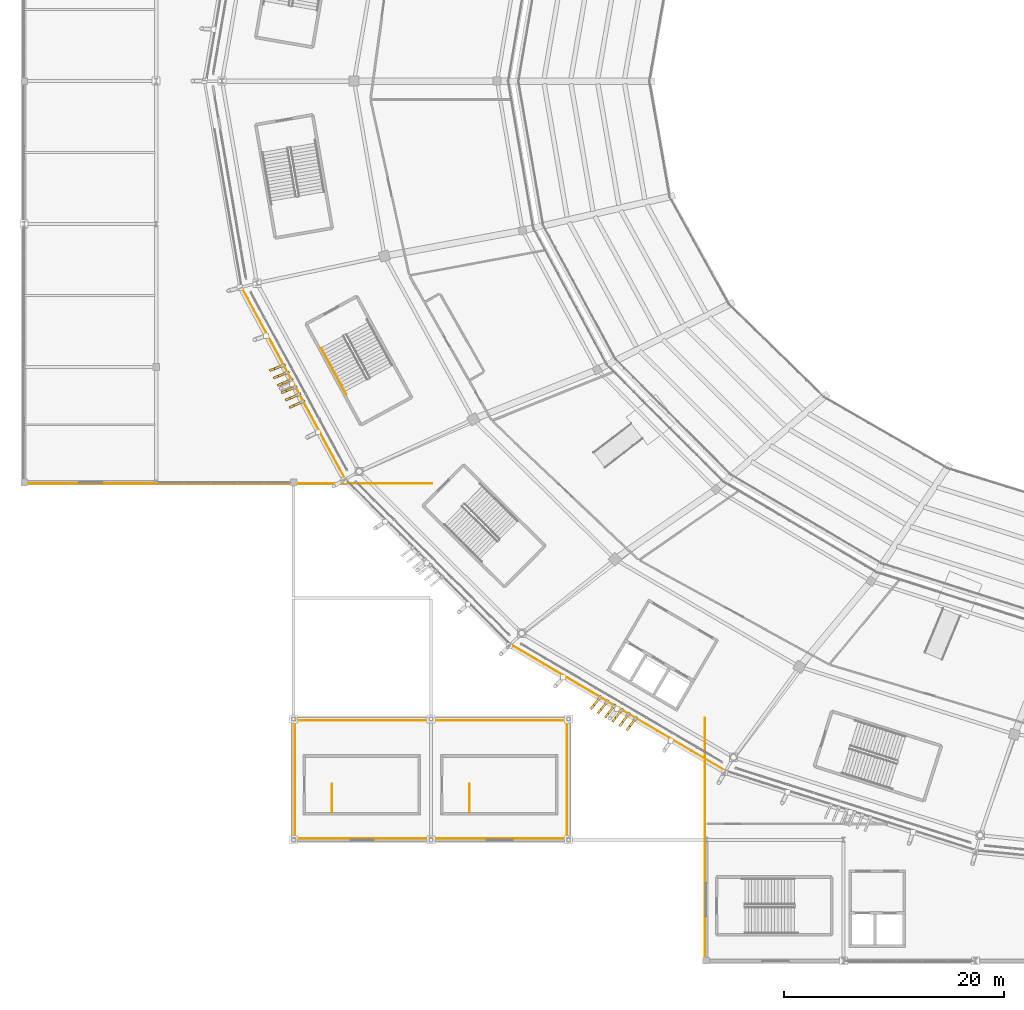
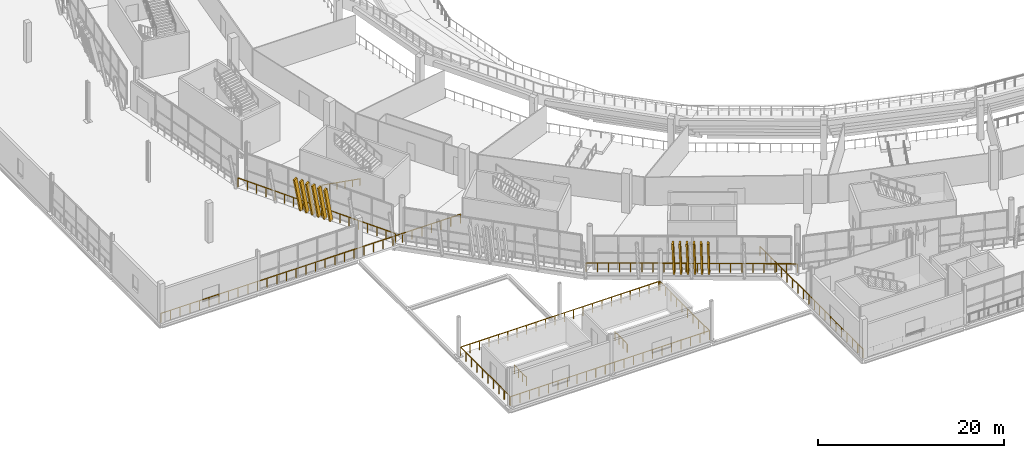
# One storey, part 144 of 178: 12 shading devices, 9 railings.
"""IFC4 building model written with IfcOpenShell, lengths in metres."""

from ifc_helpers import new_model, si_unit, direction, frame, origin, origin_2d, place, context, subcontext, project, spatial, rectangle, extrude, material, material_profile, profile_set, type_object, element, save


model = new_model("IFC4")

# Units and contexts
model_context = context("Model", 3, precision=1e-05, world=origin(), true_north=direction((0.0, 1.0)))
body_context = subcontext(model_context, "Body", "Model", "MODEL_VIEW")
ifc_project = project(units=[si_unit("LENGTHUNIT", "METRE"), si_unit("AREAUNIT", "SQUARE_METRE"), si_unit("VOLUMEUNIT", "CUBIC_METRE"), si_unit("PLANEANGLEUNIT", "RADIAN"), si_unit("MASSUNIT", "GRAM", prefix="KILO")], contexts=[model_context])

# Site, building, storey
site_placement = place(None, origin())
site = spatial("IfcSite", under=ifc_project, at=site_placement, CompositionType="ELEMENT")
building_placement = place(site_placement, origin())
building = spatial("IfcBuilding", under=site, at=building_placement, Name="Zlatoyarsky Gate Stadium", CompositionType="ELEMENT")
storey_placement = place(building_placement, frame((0.0, 0.0, 5.39990234375)))
storey = spatial("IfcBuildingStorey", under=building, at=storey_placement, Name="L01", CompositionType="ELEMENT", Elevation=5.39990234375)

# Railings
ifc_material_1 = material(Name="Powder-coated steel tubular guardrail", Category="steel")
railing_type_1 = type_object("IfcRailingType", Name="CONCOURSE SLAB EDGE GUARDRAIL 1200", PredefinedType="GUARDRAIL", material=ifc_material_1)
railing_1_placement = place(storey_placement, frame((19.7890625, 61.254150390625, 0.0)))
element("IfcRailing", 1, at=railing_1_placement, inside=storey, type_object=railing_type_1, Name="L01 outer slab edge guardrail 13", PredefinedType="GUARDRAIL", context=body_context, shape_type="SweptSolid", body=[
    extrude(rectangle(XDim=0.048095703125, YDim=0.048095703125, at=origin_2d()), frame((0.0, 0.0, 1.17578125), z_axis=(0.475167957091, -0.879895114519, 0.0), x_axis=(0.879895114519, 0.475167957091, 0.0)), (0.0, 0.0, 1.0), 19.852783203125),
    extrude(rectangle(XDim=0.0419921875, YDim=0.0419921875, at=origin_2d()), origin(), (0.0, 0.0, 1.0), 1.15185546875),
    extrude(rectangle(XDim=0.0419921875, YDim=0.0419921875, at=origin_2d()), frame((0.554931640625, -1.027587890625, 0.0)), (0.0, 0.0, 1.0), 1.15185546875),
    extrude(rectangle(XDim=0.0419921875, YDim=0.0419921875, at=origin_2d()), frame((1.10986328125, -2.05517578125, 0.0)), (0.0, 0.0, 1.0), 1.15185546875),
    extrude(rectangle(XDim=0.0419921875, YDim=0.0419921875, at=origin_2d()), frame((1.664794921875, -3.08251953125, 0.0)), (0.0, 0.0, 1.0), 1.15185546875),
    extrude(rectangle(XDim=0.0419921875, YDim=0.0419921875, at=origin_2d()), frame((2.2197265625, -4.110107421875, 0.0)), (0.0, 0.0, 1.0), 1.15185546875),
    extrude(rectangle(XDim=0.0419921875, YDim=0.0419921875, at=origin_2d()), frame((2.7744140625, -5.1376953125, 0.0)), (0.0, 0.0, 1.0), 1.15185546875),
    extrude(rectangle(XDim=0.0419921875, YDim=0.0419921875, at=origin_2d()), frame((3.329345703125, -6.165283203125, 0.0)), (0.0, 0.0, 1.0), 1.15185546875),
    extrude(rectangle(XDim=0.0419921875, YDim=0.0419921875, at=origin_2d()), frame((3.88427734375, -7.19287109375, 0.0)), (0.0, 0.0, 1.0), 1.15185546875),
    extrude(rectangle(XDim=0.0419921875, YDim=0.0419921875, at=origin_2d()), frame((4.439208984375, -8.220458984375, 0.0)), (0.0, 0.0, 1.0), 1.15185546875),
    extrude(rectangle(XDim=0.0419921875, YDim=0.0419921875, at=origin_2d()), frame((4.994140625, -9.247802734375, 0.0)), (0.0, 0.0, 1.0), 1.15185546875),
    extrude(rectangle(XDim=0.0419921875, YDim=0.0419921875, at=origin_2d()), frame((5.549072265625, -10.275390625, 0.0)), (0.0, 0.0, 1.0), 1.15185546875),
    extrude(rectangle(XDim=0.0419921875, YDim=0.0419921875, at=origin_2d()), frame((6.10400390625, -11.302978515625, 0.0)), (0.0, 0.0, 1.0), 1.15185546875),
    extrude(rectangle(XDim=0.0419921875, YDim=0.0419921875, at=origin_2d()), frame((6.658935546875, -12.33056640625, 0.0)), (0.0, 0.0, 1.0), 1.15185546875),
    extrude(rectangle(XDim=0.0419921875, YDim=0.0419921875, at=origin_2d()), frame((7.213623046875, -13.358154296875, 0.0)), (0.0, 0.0, 1.0), 1.15185546875),
    extrude(rectangle(XDim=0.0419921875, YDim=0.0419921875, at=origin_2d()), frame((7.7685546875, -14.3857421875, 0.0)), (0.0, 0.0, 1.0), 1.15185546875),
    extrude(rectangle(XDim=0.0419921875, YDim=0.0419921875, at=origin_2d()), frame((8.323486328125, -15.4130859375, 0.0)), (0.0, 0.0, 1.0), 1.15185546875),
    extrude(rectangle(XDim=0.0419921875, YDim=0.0419921875, at=origin_2d()), frame((8.87841796875, -16.440673828125, 0.0)), (0.0, 0.0, 1.0), 1.15185546875),
    extrude(rectangle(XDim=0.0419921875, YDim=0.0419921875, at=origin_2d()), frame((9.433349609375, -17.46826171875, 0.0)), (0.0, 0.0, 1.0), 1.15185546875),
])
railing_2_placement = place(storey_placement, frame((44.22900390625, 28.785400390625, 0.0)))
element("IfcRailing", 2, at=railing_2_placement, inside=storey, type_object=railing_type_1, Name="L01 outer slab edge guardrail 15", PredefinedType="GUARDRAIL", context=body_context, shape_type="SweptSolid", body=[
    extrude(rectangle(XDim=0.048095703125, YDim=0.048095703125, at=origin_2d()), frame((0.0, 0.0, 1.17578125), z_axis=(0.861811945142, -0.507227928264, 0.0), x_axis=(0.507227928264, 0.861811945142, 0.0)), (0.0, 0.0, 1.0), 22.6923828125),
    extrude(rectangle(XDim=0.0419921875, YDim=0.0419921875, at=origin_2d()), origin(), (0.0, 0.0, 1.0), 1.15185546875),
    extrude(rectangle(XDim=0.0419921875, YDim=0.0419921875, at=origin_2d()), frame((1.029296875, -0.605712890625, 0.0)), (0.0, 0.0, 1.0), 1.15185546875),
    extrude(rectangle(XDim=0.0419921875, YDim=0.0419921875, at=origin_2d()), frame((2.05859375, -1.211669921875, 0.0)), (0.0, 0.0, 1.0), 1.15185546875),
    extrude(rectangle(XDim=0.0419921875, YDim=0.0419921875, at=origin_2d()), frame((3.087890625, -1.8173828125, 0.0)), (0.0, 0.0, 1.0), 1.15185546875),
    extrude(rectangle(XDim=0.0419921875, YDim=0.0419921875, at=origin_2d()), frame((4.1171875, -2.423095703125, 0.0)), (0.0, 0.0, 1.0), 1.15185546875),
    extrude(rectangle(XDim=0.0419921875, YDim=0.0419921875, at=origin_2d()), frame((5.146484375, -3.029052734375, 0.0)), (0.0, 0.0, 1.0), 1.15185546875),
    extrude(rectangle(XDim=0.0419921875, YDim=0.0419921875, at=origin_2d()), frame((6.17578125, -3.634765625, 0.0)), (0.0, 0.0, 1.0), 1.15185546875),
    extrude(rectangle(XDim=0.0419921875, YDim=0.0419921875, at=origin_2d()), frame((7.205078125, -4.24072265625, 0.0)), (0.0, 0.0, 1.0), 1.15185546875),
    extrude(rectangle(XDim=0.0419921875, YDim=0.0419921875, at=origin_2d()), frame((8.234375, -4.846435546875, 0.0)), (0.0, 0.0, 1.0), 1.15185546875),
    extrude(rectangle(XDim=0.0419921875, YDim=0.0419921875, at=origin_2d()), frame((9.263671875, -5.4521484375, 0.0)), (0.0, 0.0, 1.0), 1.15185546875),
    extrude(rectangle(XDim=0.0419921875, YDim=0.0419921875, at=origin_2d()), frame((10.29296875, -6.05810546875, 0.0)), (0.0, 0.0, 1.0), 1.15185546875),
    extrude(rectangle(XDim=0.0419921875, YDim=0.0419921875, at=origin_2d()), frame((11.322265625, -6.663818359375, 0.0)), (0.0, 0.0, 1.0), 1.15185546875),
    extrude(rectangle(XDim=0.0419921875, YDim=0.0419921875, at=origin_2d()), frame((12.3515625, -7.26953125, 0.0)), (0.0, 0.0, 1.0), 1.15185546875),
    extrude(rectangle(XDim=0.0419921875, YDim=0.0419921875, at=origin_2d()), frame((13.380859375, -7.87548828125, 0.0)), (0.0, 0.0, 1.0), 1.15185546875),
    extrude(rectangle(XDim=0.0419921875, YDim=0.0419921875, at=origin_2d()), frame((14.41015625, -8.481201171875, 0.0)), (0.0, 0.0, 1.0), 1.15185546875),
    extrude(rectangle(XDim=0.0419921875, YDim=0.0419921875, at=origin_2d()), frame((15.439453125, -9.087158203125, 0.0)), (0.0, 0.0, 1.0), 1.15185546875),
    extrude(rectangle(XDim=0.0419921875, YDim=0.0419921875, at=origin_2d()), frame((16.46875, -9.69287109375, 0.0)), (0.0, 0.0, 1.0), 1.15185546875),
    extrude(rectangle(XDim=0.0419921875, YDim=0.0419921875, at=origin_2d()), frame((17.498046875, -10.298583984375, 0.0)), (0.0, 0.0, 1.0), 1.15185546875),
    extrude(rectangle(XDim=0.0419921875, YDim=0.0419921875, at=origin_2d()), frame((18.52734375, -10.904541015625, 0.0)), (0.0, 0.0, 1.0), 1.15185546875),
    extrude(rectangle(XDim=0.0419921875, YDim=0.0419921875, at=origin_2d()), frame((19.556640625, -11.51025390625, 0.0)), (0.0, 0.0, 1.0), 1.15185546875),
])
railing_3_placement = place(storey_placement, frame((24.64990234375, 11.14990234375, 0.0)))
element("IfcRailing", 3, at=railing_3_placement, inside=storey, type_object=railing_type_1, Name="V6_SW L01 portico perimeter guardrail A", PredefinedType="GUARDRAIL", context=body_context, shape_type="SweptSolid", body=[
    extrude(rectangle(XDim=0.048095703125, YDim=0.048095703125, at=origin_2d()), frame((0.0, 0.0, 1.17578125), z_axis=(1.0, 0.0, 0.0), x_axis=(0.0, 1.0, 0.0)), (0.0, 0.0, 1.0), 24.7001953125),
    extrude(rectangle(XDim=0.048095703125, YDim=0.048095703125, at=origin_2d()), frame((24.7001953125, 0.0, 1.17578125), z_axis=(0.0, 1.0, 0.0), x_axis=(-1.0, 0.0, 0.0)), (0.0, 0.0, 1.0), 10.7001953125),
    extrude(rectangle(XDim=0.0419921875, YDim=0.0419921875, at=origin_2d()), origin(), (0.0, 0.0, 1.0), 1.15185546875),
    extrude(rectangle(XDim=0.0419921875, YDim=0.0419921875, at=origin_2d()), frame((1.17626953125, 0.0, 0.0)), (0.0, 0.0, 1.0), 1.15185546875),
    extrude(rectangle(XDim=0.0419921875, YDim=0.0419921875, at=origin_2d()), frame((2.352294921875, 0.0, 0.0)), (0.0, 0.0, 1.0), 1.15185546875),
    extrude(rectangle(XDim=0.0419921875, YDim=0.0419921875, at=origin_2d()), frame((3.528564453125, 0.0, 0.0)), (0.0, 0.0, 1.0), 1.15185546875),
    extrude(rectangle(XDim=0.0419921875, YDim=0.0419921875, at=origin_2d()), frame((4.704833984375, 0.0, 0.0)), (0.0, 0.0, 1.0), 1.15185546875),
    extrude(rectangle(XDim=0.0419921875, YDim=0.0419921875, at=origin_2d()), frame((5.881103515625, 0.0, 0.0)), (0.0, 0.0, 1.0), 1.15185546875),
    extrude(rectangle(XDim=0.0419921875, YDim=0.0419921875, at=origin_2d()), frame((7.05712890625, 0.0, 0.0)), (0.0, 0.0, 1.0), 1.15185546875),
    extrude(rectangle(XDim=0.0419921875, YDim=0.0419921875, at=origin_2d()), frame((8.2333984375, 0.0, 0.0)), (0.0, 0.0, 1.0), 1.15185546875),
    extrude(rectangle(XDim=0.0419921875, YDim=0.0419921875, at=origin_2d()), frame((9.40966796875, 0.0, 0.0)), (0.0, 0.0, 1.0), 1.15185546875),
    extrude(rectangle(XDim=0.0419921875, YDim=0.0419921875, at=origin_2d()), frame((10.585693359375, 0.0, 0.0)), (0.0, 0.0, 1.0), 1.15185546875),
    extrude(rectangle(XDim=0.0419921875, YDim=0.0419921875, at=origin_2d()), frame((11.761962890625, 0.0, 0.0)), (0.0, 0.0, 1.0), 1.15185546875),
    extrude(rectangle(XDim=0.0419921875, YDim=0.0419921875, at=origin_2d()), frame((12.938232421875, 0.0, 0.0)), (0.0, 0.0, 1.0), 1.15185546875),
    extrude(rectangle(XDim=0.0419921875, YDim=0.0419921875, at=origin_2d()), frame((14.114501953125, 0.0, 0.0)), (0.0, 0.0, 1.0), 1.15185546875),
    extrude(rectangle(XDim=0.0419921875, YDim=0.0419921875, at=origin_2d()), frame((15.29052734375, 0.0, 0.0)), (0.0, 0.0, 1.0), 1.15185546875),
    extrude(rectangle(XDim=0.0419921875, YDim=0.0419921875, at=origin_2d()), frame((16.466796875, 0.0, 0.0)), (0.0, 0.0, 1.0), 1.15185546875),
    extrude(rectangle(XDim=0.0419921875, YDim=0.0419921875, at=origin_2d()), frame((17.64306640625, 0.0, 0.0)), (0.0, 0.0, 1.0), 1.15185546875),
    extrude(rectangle(XDim=0.0419921875, YDim=0.0419921875, at=origin_2d()), frame((18.819091796875, 0.0, 0.0)), (0.0, 0.0, 1.0), 1.15185546875),
    extrude(rectangle(XDim=0.0419921875, YDim=0.0419921875, at=origin_2d()), frame((19.995361328125, 0.0, 0.0)), (0.0, 0.0, 1.0), 1.15185546875),
    extrude(rectangle(XDim=0.0419921875, YDim=0.0419921875, at=origin_2d()), frame((21.171630859375, 0.0, 0.0)), (0.0, 0.0, 1.0), 1.15185546875),
    extrude(rectangle(XDim=0.0419921875, YDim=0.0419921875, at=origin_2d()), frame((22.347900390625, 0.0, 0.0)), (0.0, 0.0, 1.0), 1.15185546875),
    extrude(rectangle(XDim=0.0419921875, YDim=0.0419921875, at=origin_2d()), frame((23.52392578125, 0.0, 0.0)), (0.0, 0.0, 1.0), 1.15185546875),
    extrude(rectangle(XDim=0.0419921875, YDim=0.0419921875, at=origin_2d()), frame((24.7001953125, 0.0, 0.0)), (0.0, 0.0, 1.0), 1.15185546875),
    extrude(rectangle(XDim=0.0419921875, YDim=0.0419921875, at=origin_2d()), frame((24.7001953125, 1.18896484375, 0.0)), (0.0, 0.0, 1.0), 1.15185546875),
    extrude(rectangle(XDim=0.0419921875, YDim=0.0419921875, at=origin_2d()), frame((24.7001953125, 2.3779296875, 0.0)), (0.0, 0.0, 1.0), 1.15185546875),
    extrude(rectangle(XDim=0.0419921875, YDim=0.0419921875, at=origin_2d()), frame((24.7001953125, 3.566650390625, 0.0)), (0.0, 0.0, 1.0), 1.15185546875),
    extrude(rectangle(XDim=0.0419921875, YDim=0.0419921875, at=origin_2d()), frame((24.7001953125, 4.755615234375, 0.0)), (0.0, 0.0, 1.0), 1.15185546875),
    extrude(rectangle(XDim=0.0419921875, YDim=0.0419921875, at=origin_2d()), frame((24.7001953125, 5.944580078125, 0.0)), (0.0, 0.0, 1.0), 1.15185546875),
    extrude(rectangle(XDim=0.0419921875, YDim=0.0419921875, at=origin_2d()), frame((24.7001953125, 7.133544921875, 0.0)), (0.0, 0.0, 1.0), 1.15185546875),
    extrude(rectangle(XDim=0.0419921875, YDim=0.0419921875, at=origin_2d()), frame((24.7001953125, 8.322265625, 0.0)), (0.0, 0.0, 1.0), 1.15185546875),
    extrude(rectangle(XDim=0.0419921875, YDim=0.0419921875, at=origin_2d()), frame((24.7001953125, 9.51123046875, 0.0)), (0.0, 0.0, 1.0), 1.15185546875),
    extrude(rectangle(XDim=0.0419921875, YDim=0.0419921875, at=origin_2d()), frame((24.7001953125, 10.7001953125, 0.0)), (0.0, 0.0, 1.0), 1.15185546875),
])
railing_4_placement = place(storey_placement, frame((49.199951171875, 21.85009765625, 0.0)))
element("IfcRailing", 4, at=railing_4_placement, inside=storey, type_object=railing_type_1, Name="V6_SW L01 portico perimeter guardrail B", PredefinedType="GUARDRAIL", context=body_context, shape_type="SweptSolid", body=[
    extrude(rectangle(XDim=0.048095703125, YDim=0.048095703125, at=origin_2d()), frame((0.0, 0.0, 1.17578125), z_axis=(-1.0, 0.0, 0.0), x_axis=(0.0, -1.0, 0.0)), (0.0, 0.0, 1.0), 24.550048828125),
    extrude(rectangle(XDim=0.048095703125, YDim=0.048095703125, at=origin_2d()), frame((-24.550048828125, 0.0, 1.17578125), z_axis=(0.0, -1.0, 0.0), x_axis=(1.0, 0.0, 0.0)), (0.0, 0.0, 1.0), 10.550048828125),
    extrude(rectangle(XDim=0.0419921875, YDim=0.0419921875, at=origin_2d()), origin(), (0.0, 0.0, 1.0), 1.15185546875),
    extrude(rectangle(XDim=0.0419921875, YDim=0.0419921875, at=origin_2d()), frame((-1.1689453125, 0.0, 0.0)), (0.0, 0.0, 1.0), 1.15185546875),
    extrude(rectangle(XDim=0.0419921875, YDim=0.0419921875, at=origin_2d()), frame((-2.338134765625, 0.0, 0.0)), (0.0, 0.0, 1.0), 1.15185546875),
    extrude(rectangle(XDim=0.0419921875, YDim=0.0419921875, at=origin_2d()), frame((-3.507080078125, 0.0, 0.0)), (0.0, 0.0, 1.0), 1.15185546875),
    extrude(rectangle(XDim=0.0419921875, YDim=0.0419921875, at=origin_2d()), frame((-4.67626953125, 0.0, 0.0)), (0.0, 0.0, 1.0), 1.15185546875),
    extrude(rectangle(XDim=0.0419921875, YDim=0.0419921875, at=origin_2d()), frame((-5.84521484375, 0.0, 0.0)), (0.0, 0.0, 1.0), 1.15185546875),
    extrude(rectangle(XDim=0.0419921875, YDim=0.0419921875, at=origin_2d()), frame((-7.014404296875, 0.0, 0.0)), (0.0, 0.0, 1.0), 1.15185546875),
    extrude(rectangle(XDim=0.0419921875, YDim=0.0419921875, at=origin_2d()), frame((-8.183349609375, 0.0, 0.0)), (0.0, 0.0, 1.0), 1.15185546875),
    extrude(rectangle(XDim=0.0419921875, YDim=0.0419921875, at=origin_2d()), frame((-9.352294921875, 0.0, 0.0)), (0.0, 0.0, 1.0), 1.15185546875),
    extrude(rectangle(XDim=0.0419921875, YDim=0.0419921875, at=origin_2d()), frame((-10.521484375, 0.0, 0.0)), (0.0, 0.0, 1.0), 1.15185546875),
    extrude(rectangle(XDim=0.0419921875, YDim=0.0419921875, at=origin_2d()), frame((-11.6904296875, 0.0, 0.0)), (0.0, 0.0, 1.0), 1.15185546875),
    extrude(rectangle(XDim=0.0419921875, YDim=0.0419921875, at=origin_2d()), frame((-12.859619140625, 0.0, 0.0)), (0.0, 0.0, 1.0), 1.15185546875),
    extrude(rectangle(XDim=0.0419921875, YDim=0.0419921875, at=origin_2d()), frame((-14.028564453125, 0.0, 0.0)), (0.0, 0.0, 1.0), 1.15185546875),
    extrude(rectangle(XDim=0.0419921875, YDim=0.0419921875, at=origin_2d()), frame((-15.19775390625, 0.0, 0.0)), (0.0, 0.0, 1.0), 1.15185546875),
    extrude(rectangle(XDim=0.0419921875, YDim=0.0419921875, at=origin_2d()), frame((-16.36669921875, 0.0, 0.0)), (0.0, 0.0, 1.0), 1.15185546875),
    extrude(rectangle(XDim=0.0419921875, YDim=0.0419921875, at=origin_2d()), frame((-17.53564453125, 0.0, 0.0)), (0.0, 0.0, 1.0), 1.15185546875),
    extrude(rectangle(XDim=0.0419921875, YDim=0.0419921875, at=origin_2d()), frame((-18.704833984375, 0.0, 0.0)), (0.0, 0.0, 1.0), 1.15185546875),
    extrude(rectangle(XDim=0.0419921875, YDim=0.0419921875, at=origin_2d()), frame((-19.873779296875, 0.0, 0.0)), (0.0, 0.0, 1.0), 1.15185546875),
    extrude(rectangle(XDim=0.0419921875, YDim=0.0419921875, at=origin_2d()), frame((-21.04296875, 0.0, 0.0)), (0.0, 0.0, 1.0), 1.15185546875),
    extrude(rectangle(XDim=0.0419921875, YDim=0.0419921875, at=origin_2d()), frame((-22.2119140625, 0.0, 0.0)), (0.0, 0.0, 1.0), 1.15185546875),
    extrude(rectangle(XDim=0.0419921875, YDim=0.0419921875, at=origin_2d()), frame((-23.381103515625, 0.0, 0.0)), (0.0, 0.0, 1.0), 1.15185546875),
    extrude(rectangle(XDim=0.0419921875, YDim=0.0419921875, at=origin_2d()), frame((-24.550048828125, 0.0, 0.0)), (0.0, 0.0, 1.0), 1.15185546875),
    extrude(rectangle(XDim=0.0419921875, YDim=0.0419921875, at=origin_2d()), frame((-24.550048828125, -1.172119140625, 0.0)), (0.0, 0.0, 1.0), 1.15185546875),
    extrude(rectangle(XDim=0.0419921875, YDim=0.0419921875, at=origin_2d()), frame((-24.550048828125, -2.344482421875, 0.0)), (0.0, 0.0, 1.0), 1.15185546875),
    extrude(rectangle(XDim=0.0419921875, YDim=0.0419921875, at=origin_2d()), frame((-24.550048828125, -3.5166015625, 0.0)), (0.0, 0.0, 1.0), 1.15185546875),
    extrude(rectangle(XDim=0.0419921875, YDim=0.0419921875, at=origin_2d()), frame((-24.550048828125, -4.68896484375, 0.0)), (0.0, 0.0, 1.0), 1.15185546875),
    extrude(rectangle(XDim=0.0419921875, YDim=0.0419921875, at=origin_2d()), frame((-24.550048828125, -5.861083984375, 0.0)), (0.0, 0.0, 1.0), 1.15185546875),
    extrude(rectangle(XDim=0.0419921875, YDim=0.0419921875, at=origin_2d()), frame((-24.550048828125, -7.033447265625, 0.0)), (0.0, 0.0, 1.0), 1.15185546875),
    extrude(rectangle(XDim=0.0419921875, YDim=0.0419921875, at=origin_2d()), frame((-24.550048828125, -8.20556640625, 0.0)), (0.0, 0.0, 1.0), 1.15185546875),
    extrude(rectangle(XDim=0.0419921875, YDim=0.0419921875, at=origin_2d()), frame((-24.550048828125, -9.3779296875, 0.0)), (0.0, 0.0, 1.0), 1.15185546875),
    extrude(rectangle(XDim=0.0419921875, YDim=0.0419921875, at=origin_2d()), frame((-24.550048828125, -10.550048828125, 0.0)), (0.0, 0.0, 1.0), 1.15185546875),
])
railing_5_placement = place(storey_placement, frame((61.919921875, 22.080078125, 0.0)))
element("IfcRailing", 5, at=railing_5_placement, inside=storey, type_object=railing_type_1, Name="V3_SOUTH L01 W slab edge guardrail", PredefinedType="GUARDRAIL", context=body_context, shape_type="SweptSolid", body=[
    extrude(rectangle(XDim=0.048095703125, YDim=0.048095703125, at=origin_2d()), frame((0.0, 0.0, 1.17578125), z_axis=(0.0, -1.0, 0.0), x_axis=(1.0, 0.0, 0.0)), (0.0, 0.0, 1.0), 22.16015625),
    extrude(rectangle(XDim=0.0419921875, YDim=0.0419921875, at=origin_2d()), origin(), (0.0, 0.0, 1.0), 1.15185546875),
    extrude(rectangle(XDim=0.0419921875, YDim=0.0419921875, at=origin_2d()), frame((0.0, -1.166259765625, 0.0)), (0.0, 0.0, 1.0), 1.15185546875),
    extrude(rectangle(XDim=0.0419921875, YDim=0.0419921875, at=origin_2d()), frame((0.0, -2.332763671875, 0.0)), (0.0, 0.0, 1.0), 1.15185546875),
    extrude(rectangle(XDim=0.0419921875, YDim=0.0419921875, at=origin_2d()), frame((0.0, -3.4990234375, 0.0)), (0.0, 0.0, 1.0), 1.15185546875),
    extrude(rectangle(XDim=0.0419921875, YDim=0.0419921875, at=origin_2d()), frame((0.0, -4.665283203125, 0.0)), (0.0, 0.0, 1.0), 1.15185546875),
    extrude(rectangle(XDim=0.0419921875, YDim=0.0419921875, at=origin_2d()), frame((0.0, -5.83154296875, 0.0)), (0.0, 0.0, 1.0), 1.15185546875),
    extrude(rectangle(XDim=0.0419921875, YDim=0.0419921875, at=origin_2d()), frame((0.0, -6.998046875, 0.0)), (0.0, 0.0, 1.0), 1.15185546875),
    extrude(rectangle(XDim=0.0419921875, YDim=0.0419921875, at=origin_2d()), frame((0.0, -8.164306640625, 0.0)), (0.0, 0.0, 1.0), 1.15185546875),
    extrude(rectangle(XDim=0.0419921875, YDim=0.0419921875, at=origin_2d()), frame((0.0, -9.33056640625, 0.0)), (0.0, 0.0, 1.0), 1.15185546875),
    extrude(rectangle(XDim=0.0419921875, YDim=0.0419921875, at=origin_2d()), frame((0.0, -10.496826171875, 0.0)), (0.0, 0.0, 1.0), 1.15185546875),
    extrude(rectangle(XDim=0.0419921875, YDim=0.0419921875, at=origin_2d()), frame((0.0, -11.663330078125, 0.0)), (0.0, 0.0, 1.0), 1.15185546875),
    extrude(rectangle(XDim=0.0419921875, YDim=0.0419921875, at=origin_2d()), frame((0.0, -12.82958984375, 0.0)), (0.0, 0.0, 1.0), 1.15185546875),
    extrude(rectangle(XDim=0.0419921875, YDim=0.0419921875, at=origin_2d()), frame((0.0, -13.995849609375, 0.0)), (0.0, 0.0, 1.0), 1.15185546875),
    extrude(rectangle(XDim=0.0419921875, YDim=0.0419921875, at=origin_2d()), frame((0.0, -15.162109375, 0.0)), (0.0, 0.0, 1.0), 1.15185546875),
    extrude(rectangle(XDim=0.0419921875, YDim=0.0419921875, at=origin_2d()), frame((0.0, -16.32861328125, 0.0)), (0.0, 0.0, 1.0), 1.15185546875),
    extrude(rectangle(XDim=0.0419921875, YDim=0.0419921875, at=origin_2d()), frame((0.0, -17.494873046875, 0.0)), (0.0, 0.0, 1.0), 1.15185546875),
    extrude(rectangle(XDim=0.0419921875, YDim=0.0419921875, at=origin_2d()), frame((0.0, -18.6611328125, 0.0)), (0.0, 0.0, 1.0), 1.15185546875),
    extrude(rectangle(XDim=0.0419921875, YDim=0.0419921875, at=origin_2d()), frame((0.0, -19.827392578125, 0.0)), (0.0, 0.0, 1.0), 1.15185546875),
    extrude(rectangle(XDim=0.0419921875, YDim=0.0419921875, at=origin_2d()), frame((0.0, -20.993896484375, 0.0)), (0.0, 0.0, 1.0), 1.15185546875),
    extrude(rectangle(XDim=0.0419921875, YDim=0.0419921875, at=origin_2d()), frame((0.0, -22.16015625, 0.0)), (0.0, 0.0, 1.0), 1.15185546875),
])
railing_6_placement = place(storey_placement, frame((37.080078125, 43.419921875, 0.0)))
element("IfcRailing", 6, at=railing_6_placement, inside=storey, type_object=railing_type_1, Name="V4_WEST L01 S slab edge guardrail", PredefinedType="GUARDRAIL", context=body_context, shape_type="SweptSolid", body=[
    extrude(rectangle(XDim=0.048095703125, YDim=0.048095703125, at=origin_2d()), frame((0.0, 0.0, 1.17578125), z_axis=(-1.0, 0.0, 0.0), x_axis=(0.0, -1.0, 0.0)), (0.0, 0.0, 1.0), 37.16015625),
    extrude(rectangle(XDim=0.0419921875, YDim=0.0419921875, at=origin_2d()), origin(), (0.0, 0.0, 1.0), 1.15185546875),
    extrude(rectangle(XDim=0.0419921875, YDim=0.0419921875, at=origin_2d()), frame((-1.19873046875, 0.0, 0.0)), (0.0, 0.0, 1.0), 1.15185546875),
    extrude(rectangle(XDim=0.0419921875, YDim=0.0419921875, at=origin_2d()), frame((-2.3974609375, 0.0, 0.0)), (0.0, 0.0, 1.0), 1.15185546875),
    extrude(rectangle(XDim=0.0419921875, YDim=0.0419921875, at=origin_2d()), frame((-3.59619140625, 0.0, 0.0)), (0.0, 0.0, 1.0), 1.15185546875),
    extrude(rectangle(XDim=0.0419921875, YDim=0.0419921875, at=origin_2d()), frame((-4.794921875, 0.0, 0.0)), (0.0, 0.0, 1.0), 1.15185546875),
    extrude(rectangle(XDim=0.0419921875, YDim=0.0419921875, at=origin_2d()), frame((-5.99365234375, 0.0, 0.0)), (0.0, 0.0, 1.0), 1.15185546875),
    extrude(rectangle(XDim=0.0419921875, YDim=0.0419921875, at=origin_2d()), frame((-7.1923828125, 0.0, 0.0)), (0.0, 0.0, 1.0), 1.15185546875),
    extrude(rectangle(XDim=0.0419921875, YDim=0.0419921875, at=origin_2d()), frame((-8.39111328125, 0.0, 0.0)), (0.0, 0.0, 1.0), 1.15185546875),
    extrude(rectangle(XDim=0.0419921875, YDim=0.0419921875, at=origin_2d()), frame((-9.589599609375, 0.0, 0.0)), (0.0, 0.0, 1.0), 1.15185546875),
    extrude(rectangle(XDim=0.0419921875, YDim=0.0419921875, at=origin_2d()), frame((-10.788330078125, 0.0, 0.0)), (0.0, 0.0, 1.0), 1.15185546875),
    extrude(rectangle(XDim=0.0419921875, YDim=0.0419921875, at=origin_2d()), frame((-11.987060546875, 0.0, 0.0)), (0.0, 0.0, 1.0), 1.15185546875),
    extrude(rectangle(XDim=0.0419921875, YDim=0.0419921875, at=origin_2d()), frame((-13.185791015625, 0.0, 0.0)), (0.0, 0.0, 1.0), 1.15185546875),
    extrude(rectangle(XDim=0.0419921875, YDim=0.0419921875, at=origin_2d()), frame((-14.384521484375, 0.0, 0.0)), (0.0, 0.0, 1.0), 1.15185546875),
    extrude(rectangle(XDim=0.0419921875, YDim=0.0419921875, at=origin_2d()), frame((-15.583251953125, 0.0, 0.0)), (0.0, 0.0, 1.0), 1.15185546875),
    extrude(rectangle(XDim=0.0419921875, YDim=0.0419921875, at=origin_2d()), frame((-16.781982421875, 0.0, 0.0)), (0.0, 0.0, 1.0), 1.15185546875),
    extrude(rectangle(XDim=0.0419921875, YDim=0.0419921875, at=origin_2d()), frame((-17.980712890625, 0.0, 0.0)), (0.0, 0.0, 1.0), 1.15185546875),
    extrude(rectangle(XDim=0.0419921875, YDim=0.0419921875, at=origin_2d()), frame((-19.179443359375, 0.0, 0.0)), (0.0, 0.0, 1.0), 1.15185546875),
    extrude(rectangle(XDim=0.0419921875, YDim=0.0419921875, at=origin_2d()), frame((-20.378173828125, 0.0, 0.0)), (0.0, 0.0, 1.0), 1.15185546875),
    extrude(rectangle(XDim=0.0419921875, YDim=0.0419921875, at=origin_2d()), frame((-21.576904296875, 0.0, 0.0)), (0.0, 0.0, 1.0), 1.15185546875),
    extrude(rectangle(XDim=0.0419921875, YDim=0.0419921875, at=origin_2d()), frame((-22.775634765625, 0.0, 0.0)), (0.0, 0.0, 1.0), 1.15185546875),
    extrude(rectangle(XDim=0.0419921875, YDim=0.0419921875, at=origin_2d()), frame((-23.974365234375, 0.0, 0.0)), (0.0, 0.0, 1.0), 1.15185546875),
    extrude(rectangle(XDim=0.0419921875, YDim=0.0419921875, at=origin_2d()), frame((-25.173095703125, 0.0, 0.0)), (0.0, 0.0, 1.0), 1.15185546875),
    extrude(rectangle(XDim=0.0419921875, YDim=0.0419921875, at=origin_2d()), frame((-26.371826171875, 0.0, 0.0)), (0.0, 0.0, 1.0), 1.15185546875),
    extrude(rectangle(XDim=0.0419921875, YDim=0.0419921875, at=origin_2d()), frame((-27.570556640625, 0.0, 0.0)), (0.0, 0.0, 1.0), 1.15185546875),
    extrude(rectangle(XDim=0.0419921875, YDim=0.0419921875, at=origin_2d()), frame((-28.76904296875, 0.0, 0.0)), (0.0, 0.0, 1.0), 1.15185546875),
    extrude(rectangle(XDim=0.0419921875, YDim=0.0419921875, at=origin_2d()), frame((-29.9677734375, 0.0, 0.0)), (0.0, 0.0, 1.0), 1.15185546875),
    extrude(rectangle(XDim=0.0419921875, YDim=0.0419921875, at=origin_2d()), frame((-31.16650390625, 0.0, 0.0)), (0.0, 0.0, 1.0), 1.15185546875),
    extrude(rectangle(XDim=0.0419921875, YDim=0.0419921875, at=origin_2d()), frame((-32.365234375, 0.0, 0.0)), (0.0, 0.0, 1.0), 1.15185546875),
    extrude(rectangle(XDim=0.0419921875, YDim=0.0419921875, at=origin_2d()), frame((-33.56396484375, 0.0, 0.0)), (0.0, 0.0, 1.0), 1.15185546875),
    extrude(rectangle(XDim=0.0419921875, YDim=0.0419921875, at=origin_2d()), frame((-34.7626953125, 0.0, 0.0)), (0.0, 0.0, 1.0), 1.15185546875),
    extrude(rectangle(XDim=0.0419921875, YDim=0.0419921875, at=origin_2d()), frame((-35.96142578125, 0.0, 0.0)), (0.0, 0.0, 1.0), 1.15185546875),
    extrude(rectangle(XDim=0.0419921875, YDim=0.0419921875, at=origin_2d()), frame((-37.16015625, 0.0, 0.0)), (0.0, 0.0, 1.0), 1.15185546875),
])
ifc_material_2 = material(Name="Powder-coated steel stair guardrail", Category="steel")
railing_type_2 = type_object("IfcRailingType", Name="PAINTED STEEL STAIR WELL GUARDRAIL 1150", PredefinedType="GUARDRAIL", material=ifc_material_2)
for number, where, name in (
    (7, (28.0, 13.5, 0.0), "ST-21 L01 top well guard 1"),
    (8, (40.5, 13.5, 0.0), "ST-22 L01 top well guard 1"),
):
    element("IfcRailing", number, at=place(storey_placement, frame(where)), inside=storey, type_object=railing_type_2, Name=name, PredefinedType="GUARDRAIL", context=body_context, shape_type="SweptSolid", body=[
        extrude(rectangle(XDim=0.048095703125, YDim=0.048095703125, at=origin_2d()), frame((0.0, 0.0, 1.1259765625), z_axis=(0.0, 1.0, 0.0), x_axis=(-1.0, 0.0, 0.0)), (0.0, 0.0, 1.0), 2.60009765625),
        extrude(rectangle(XDim=0.0419921875, YDim=0.0419921875, at=origin_2d()), origin(), (0.0, 0.0, 1.0), 1.101806640625),
        extrude(rectangle(XDim=0.0419921875, YDim=0.0419921875, at=origin_2d()), frame((0.0, 0.86669921875, 0.0)), (0.0, 0.0, 1.0), 1.101806640625),
        extrude(rectangle(XDim=0.0419921875, YDim=0.0419921875, at=origin_2d()), frame((0.0, 1.7333984375, 0.0)), (0.0, 0.0, 1.0), 1.101806640625),
        extrude(rectangle(XDim=0.0419921875, YDim=0.0419921875, at=origin_2d()), frame((0.0, 2.60009765625, 0.0)), (0.0, 0.0, 1.0), 1.101806640625),
    ])

# Shading devices
ifc_material_3 = material(Name="Precast concrete C40/50 stone-toned architectural rib", Category="masonry")
ifc_material_profile = material_profile(ifc_material_3, rectangle(XDim=0.199951171875, YDim=0.47998046875, at=origin_2d()), Name="RIB 200X480")
ifc_profile_set = profile_set([ifc_material_profile], Name="Precast concrete C40/50 stone-toned architectural rib")
shading_device_type = type_object("IfcShadingDeviceType", Name="PRECAST FLUTED GATE LOUVRE BLADE 200X480", PredefinedType="SHUTTER", material=ifc_profile_set)
for number, where, z_axis, x_axis, name in (
    (9, (23.5234375, 54.1318359375, -0.010009765625), (-0.205858795997, -0.079321271122, 0.975361621173), (0.359550829549, -0.93312550119, 0.0), "Leaning bowl louvre fin L01-13-1"),
    (10, (23.8798828125, 53.471923828125, -0.010009765625), (-0.205045491268, -0.081356759439, 0.975365277321), (0.368804401134, -0.929507027248, 0.0), "Leaning bowl louvre fin L01-13-2"),
    (11, (24.236083984375, 52.81201171875, -0.010009765625), (-0.204182440897, -0.083392728789, 0.975374381258), (0.37810280644, -0.925763613328, 0.0), "Leaning bowl louvre fin L01-13-3"),
    (12, (24.59228515625, 52.152099609375, -0.010009765625), (-0.203318380139, -0.085428318382, 0.975378715534), (0.387365839977, -0.9219260849, 0.0), "Leaning bowl louvre fin L01-13-4"),
    (13, (24.948486328125, 51.491943359375, -0.010009765625), (-0.202454222344, -0.087413006782, 0.975382619335), (0.396396238146, -0.918079529444, 0.0), "Leaning bowl louvre fin L01-13-5"),
    (14, (25.304931640625, 50.83203125, -0.010009765625), (-0.201637007814, -0.089446848281, 0.97536750941), (0.405496328768, -0.914096672872, 0.0), "Leaning bowl louvre fin L01-13-6"),
    (15, (52.331298828125, 23.90283203125, -0.010009765625), (-0.138086632207, -0.172074056789, 0.975357678488), (0.779922977613, -0.625875505985, 0.0), "Leaning bowl louvre fin L01-15-1"),
    (16, (52.9775390625, 23.522216796875, -0.010009765625), (-0.136562486548, -0.173196238528, 0.97537364647), (0.785260537783, -0.619165476913, 0.0), "Leaning bowl louvre fin L01-15-2"),
    (17, (53.623779296875, 23.141845703125, -0.010009765625), (-0.135035411123, -0.17441649937, 0.975368813573), (0.790716503996, -0.612182497551, 0.0), "Leaning bowl louvre fin L01-15-3"),
    (18, (54.270263671875, 22.76123046875, -0.010009765625), (-0.133510226202, -0.17553745442, 0.975377681514), (0.795939856582, -0.605375705412, 0.0), "Leaning bowl louvre fin L01-15-4"),
    (19, (54.91650390625, 22.380859375, -0.010009765625), (-0.131982167362, -0.176756379883, 0.975365515932), (0.801271376225, -0.598301079426, 0.0), "Leaning bowl louvre fin L01-15-5"),
    (20, (55.562744140625, 22.000244140625, -0.010009765625), (-0.130456010156, -0.17787605753, 0.975367283423), (0.806375662804, -0.591403661164, 0.0), "Leaning bowl louvre fin L01-15-6"),
):
    element("IfcShadingDevice", number, at=place(storey_placement, frame(where, z_axis=z_axis, x_axis=x_axis)), inside=storey, type_object=shading_device_type, Name=name, PredefinedType="SHUTTER", context=body_context, shape_type="SweptSolid", body=[
        extrude(rectangle(XDim=0.199951171875, YDim=0.47998046875, at=origin_2d()), origin(), (0.0, 0.0, 1.0), 4.79833984375),
    ])

# Railing
ifc_material_4 = material(Name="Brushed stainless steel 316 handrail", Category="steel")
railing_type_3 = type_object("IfcRailingType", Name="STAINLESS STEEL TUBULAR HANDRAIL 900", PredefinedType="HANDRAIL", material=ifc_material_4)
railing_7_placement = place(storey_placement, frame((27.013427734375, 55.736572265625, 0.16650390625)))
element("IfcRailing", 21, at=railing_7_placement, inside=storey, type_object=railing_type_3, Name="ST-15 L01 stair handrail 1", PredefinedType="HANDRAIL", context=body_context, shape_type="SweptSolid", body=[
    extrude(rectangle(XDim=0.048095703125, YDim=0.048095703125, at=origin_2d()), frame((0.0, 0.0, 0.8759765625), z_axis=(0.419322212027, -0.772856990832, 0.476299227612), x_axis=(0.878962478599, 0.4768909322, 0.0)), (0.0, 0.0, 1.0), 5.458984375),
    extrude(rectangle(XDim=0.0419921875, YDim=0.0419921875, at=origin_2d()), origin(), (0.0, 0.0, 1.0), 0.851806640625),
    extrude(rectangle(XDim=0.0419921875, YDim=0.0419921875, at=origin_2d()), frame((0.457763671875, -0.84375, 0.52001953125)), (0.0, 0.0, 1.0), 0.851806640625),
    extrude(rectangle(XDim=0.0419921875, YDim=0.0419921875, at=origin_2d()), frame((0.91552734375, -1.6875, 1.0400390625)), (0.0, 0.0, 1.0), 0.851806640625),
    extrude(rectangle(XDim=0.0419921875, YDim=0.0419921875, at=origin_2d()), frame((1.37353515625, -2.531494140625, 1.56005859375)), (0.0, 0.0, 1.0), 0.851806640625),
    extrude(rectangle(XDim=0.0419921875, YDim=0.0419921875, at=origin_2d()), frame((1.831298828125, -3.375244140625, 2.080078125)), (0.0, 0.0, 1.0), 0.851806640625),
    extrude(rectangle(XDim=0.0419921875, YDim=0.0419921875, at=origin_2d()), frame((2.2890625, -4.218994140625, 2.60009765625)), (0.0, 0.0, 1.0), 0.851806640625),
])

save(model, "model.ifc")
